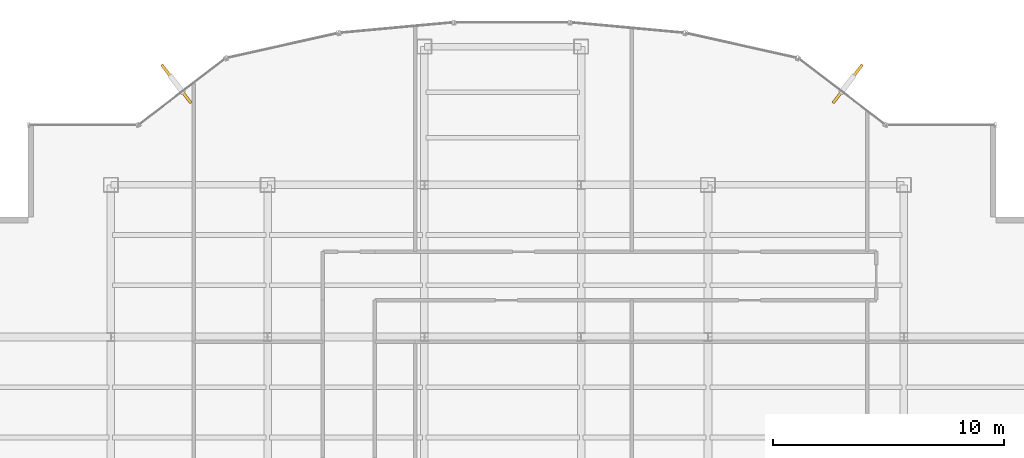
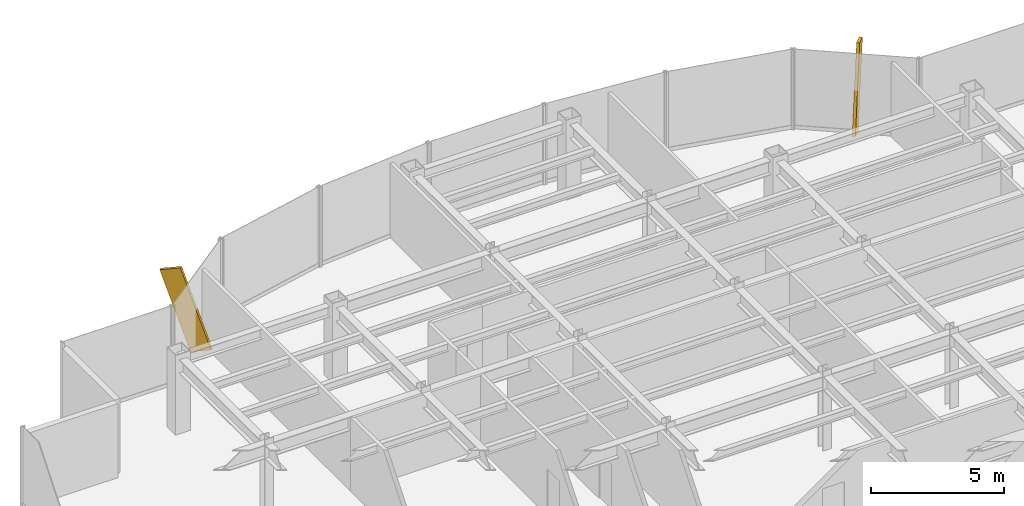
# One storey, part 24 of 25: 2 shading devices.
"""IFC4 building model written with IfcOpenShell, lengths in metres."""

from ifc_helpers import new_model, si_unit, derived_unit, direction, frame, origin, origin_2d, place, context, subcontext, project, spatial, rectangle, extrude, source, transform, mapped, material, type_object, element, save


model = new_model("IFC4")

# Units and contexts
model_context = context("Model", 3, precision=1e-05, world=origin(), true_north=direction((0.0, 1.0)))
body_context = subcontext(model_context, "Body", "Model", "MODEL_VIEW")
ifc_project = project(units=[si_unit("LENGTHUNIT", "METRE"), si_unit("AREAUNIT", "SQUARE_METRE"), si_unit("VOLUMEUNIT", "CUBIC_METRE"), si_unit("PLANEANGLEUNIT", "RADIAN"), si_unit("MASSUNIT", "GRAM", prefix="KILO"), derived_unit("THERMALTRANSMITTANCEUNIT", [(si_unit("POWERUNIT", "WATT"), 1), (si_unit("LENGTHUNIT", "METRE"), -2), (si_unit("THERMODYNAMICTEMPERATUREUNIT", "KELVIN"), -1)])], contexts=[model_context])

# Site, building, storey
site_placement = place(None, origin())
site = spatial("IfcSite", under=ifc_project, at=site_placement, CompositionType="ELEMENT")
building_placement = place(site_placement, origin())
building = spatial("IfcBuilding", under=site, at=building_placement, Name="Skarnbrae Concourse Arena and Tower", CompositionType="ELEMENT")
storey_placement = place(building_placement, frame((0.0, 0.0, 158.85009765625)))
storey = spatial("IfcBuildingStorey", under=building, at=storey_placement, Name="L40", CompositionType="ELEMENT", Elevation=158.85009765625)

# Shading devices
ifc_material = material(Name="Bronze anodised aluminium 6063-T6", Category="aluminium")
shading_device_type = type_object("IfcShadingDeviceType", Name="SHD-BRONZE-FIN-900", PredefinedType="USERDEFINED", material=ifc_material)
shared_shape = source(origin(), body_context, "Body", "SweptSolid", [
    extrude(rectangle(XDim=0.1201171875, YDim=0.89990234375, at=origin_2d()), origin(), (0.0, 0.0, 1.0), 3.64990234375),
])
for number, where, z_axis, x_axis, name in (
    (1, (39.1806640625, 38.283935546875, 0.110107421875), (0.207592334187, 0.27202097743, 0.939632912698), (0.794954941871, -0.606668476513, 0.0), "L40 Outward-leaning bronze shading fin 08"),
    (2, (10.8193359375, 38.283935546875, 0.110107421875), (-0.207592334187, 0.27202097743, 0.939632912698), (0.794954941871, 0.606668476513, 0.0), "L40 Outward-leaning bronze shading fin 14"),
):
    element("IfcShadingDevice", number, at=place(storey_placement, frame(where, z_axis=z_axis, x_axis=x_axis)), inside=storey, type_object=shading_device_type, Name=name, ObjectType="FIN", PredefinedType="USERDEFINED", context=body_context, shape_type="MappedRepresentation", body=[
        mapped(shared_shape, transform((0.0, 0.0, 0.0))),
    ])

save(model, "model.ifc")
